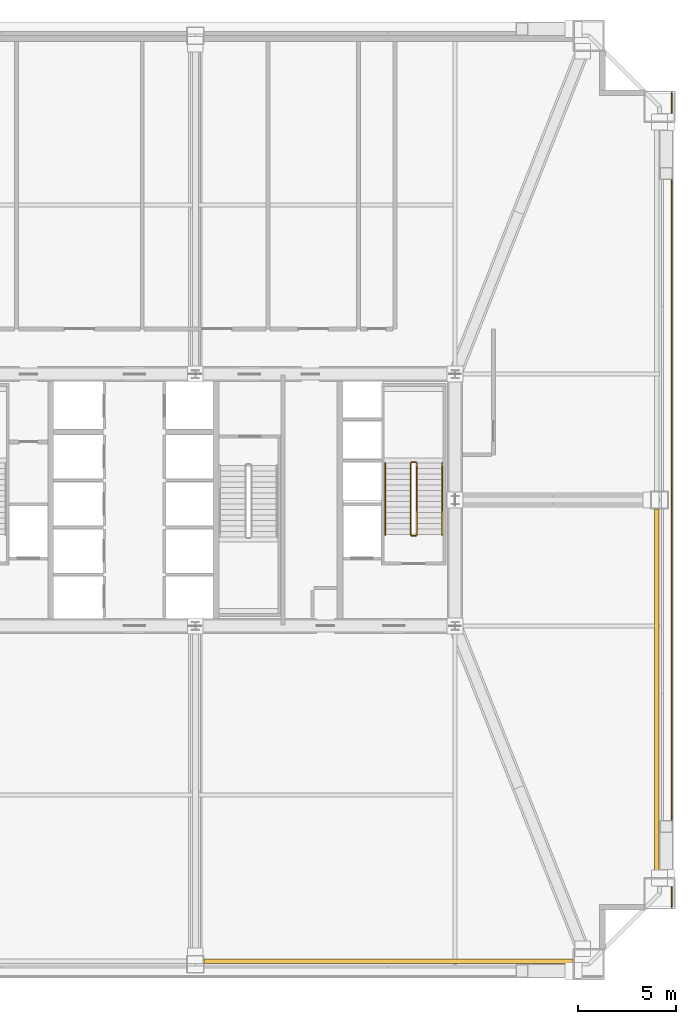
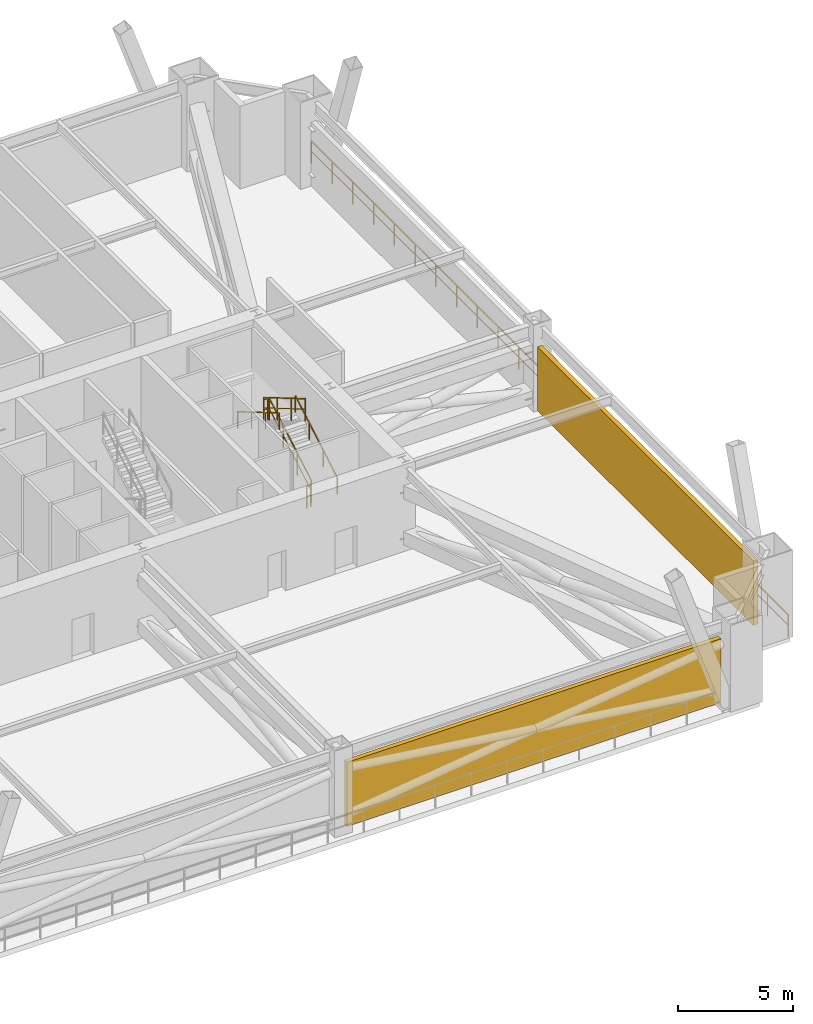
# One storey, part 9 of 10: 7 railings, 2 shading devices.
"""IFC4 building model written with IfcOpenShell, lengths in metres."""

from ifc_helpers import new_model, si_unit, direction, frame, origin, origin_2d, place, context, subcontext, project, spatial, rectangle, extrude, source, transform, mapped, material, layer, layer_set, type_object, element, save


model = new_model("IFC4")

# Units and contexts
model_context = context("Model", 3, precision=1e-05, world=origin(), true_north=direction((0.0, 1.0)))
body_context = subcontext(model_context, "Body", "Model", "MODEL_VIEW")
ifc_project = project(units=[si_unit("LENGTHUNIT", "METRE"), si_unit("AREAUNIT", "SQUARE_METRE"), si_unit("VOLUMEUNIT", "CUBIC_METRE"), si_unit("PLANEANGLEUNIT", "RADIAN"), si_unit("MASSUNIT", "GRAM", prefix="KILO"), si_unit("THERMODYNAMICTEMPERATUREUNIT", "KELVIN"), si_unit("POWERUNIT", "WATT")], contexts=[model_context])

# Site, building, storey
site_placement = place(None, origin())
site = spatial("IfcSite", under=ifc_project, at=site_placement, CompositionType="ELEMENT")
building_placement = place(site_placement, origin())
building = spatial("IfcBuilding", under=site, at=building_placement, Name="Yuzanri Waterfront Tower", CompositionType="ELEMENT")
storey_placement = place(building_placement, frame((0.0, 0.0, 129.800048828125)))
storey = spatial("IfcBuildingStorey", under=building, at=storey_placement, Name="L34", CompositionType="ELEMENT", Elevation=129.800048828125)

# Shading devices
ifc_material_1 = material(Name="Anodized Architectural Bronze", Category="metal")
ifc_layer_1 = layer(ifc_material_1, 0.219970703125)
ifc_layer_set_1 = layer_set([ifc_layer_1], Name="Anodized Architectural Bronze")
shading_device_type = type_object("IfcShadingDeviceType", Name="Anodized Bronze Refuge Wind-Diffusing Louvre Screen 220", PredefinedType="USERDEFINED", material=ifc_layer_set_1)
shared_shape_1 = source(origin(), body_context, "Body", "SweptSolid", [
    extrude(rectangle(XDim=18.75, YDim=0.219970703125, at=origin_2d()), origin(), (0.0, 0.0, 1.0), 3.39990234375),
])
shading_device_1_placement = place(storey_placement, frame((46.824951171875, 2.35009765625, 0.0), z_axis=(0.0, 0.0, 1.0), x_axis=(1.0, 0.0, 0.0)))
element("IfcShadingDevice", 1, at=shading_device_1_placement, inside=storey, type_object=shading_device_type, Name="L34 Wind-Diffusing Refuge Louvre SR", ObjectType="LOUVRE", PredefinedType="USERDEFINED", context=body_context, shape_type="MappedRepresentation", body=[
    mapped(shared_shape_1, transform((0.0, 0.0, 0.0), scale=1.0)),
])
shared_shape_2 = source(origin(), body_context, "Body", "SweptSolid", [
    extrude(rectangle(XDim=0.219970703125, YDim=18.75, at=origin_2d()), origin(), (0.0, 0.0, 1.0), 3.39990234375),
])
shading_device_2_placement = place(storey_placement, frame((60.449951171875, 15.97509765625, 0.0), z_axis=(0.0, 0.0, 1.0), x_axis=(1.0, 0.0, 0.0)))
element("IfcShadingDevice", 2, at=shading_device_2_placement, inside=storey, type_object=shading_device_type, Name="L34 Wind-Diffusing Refuge Louvre EL", ObjectType="LOUVRE", PredefinedType="USERDEFINED", context=body_context, shape_type="MappedRepresentation", body=[
    mapped(shared_shape_2, transform((0.0, 0.0, 0.0), scale=1.0)),
])

# Railings
ifc_material_2 = material(Name="Anodized Architectural Bronze", Category="metal")
ifc_layer_2 = layer(ifc_material_2, 0.080078125)
ifc_layer_set_2 = layer_set([ifc_layer_2], Name="Anodized Architectural Bronze")
railing_type_1 = type_object("IfcRailingType", Name="Laminated Glass and Bronze Balcony Guardrail 1200", PredefinedType="BALUSTRADE", material=ifc_layer_set_2)
shared_shape_3 = source(origin(), body_context, "Body", "SweptSolid", [
    extrude(rectangle(XDim=0.050048828125, YDim=0.050048828125, at=origin_2d()), frame((0.0, 0.0, 1.1748046875), z_axis=(0.0, 1.0, 0.0), x_axis=(-1.0, 0.0, 0.0)), (0.0, 0.0, 1.0), 41.39990234375),
    extrude(rectangle(XDim=0.035888671875, YDim=0.030029296875, at=origin_2d()), frame((0.0, 0.0, 0.6240234375), z_axis=(0.0, 1.0, 0.0), x_axis=(-1.0, 0.0, 0.0)), (0.0, 0.0, 1.0), 41.39990234375),
    extrude(rectangle(XDim=0.0458984375, YDim=0.0458984375, at=origin_2d()), origin(), (0.0, 0.0, 1.0), 1.14990234375),
    extrude(rectangle(XDim=0.0458984375, YDim=0.0458984375, at=origin_2d()), frame((0.0, 1.800048828125, 0.0)), (0.0, 0.0, 1.0), 1.14990234375),
    extrude(rectangle(XDim=0.0458984375, YDim=0.0458984375, at=origin_2d()), frame((0.0, 3.60009765625, 0.0)), (0.0, 0.0, 1.0), 1.14990234375),
    extrude(rectangle(XDim=0.0458984375, YDim=0.0458984375, at=origin_2d()), frame((0.0, 5.39990234375, 0.0)), (0.0, 0.0, 1.0), 1.14990234375),
    extrude(rectangle(XDim=0.0458984375, YDim=0.0458984375, at=origin_2d()), frame((0.0, 7.199951171875, 0.0)), (0.0, 0.0, 1.0), 1.14990234375),
    extrude(rectangle(XDim=0.0458984375, YDim=0.0458984375, at=origin_2d()), frame((0.0, 9.0, 0.0)), (0.0, 0.0, 1.0), 1.14990234375),
    extrude(rectangle(XDim=0.0458984375, YDim=0.0458984375, at=origin_2d()), frame((0.0, 10.800048828125, 0.0)), (0.0, 0.0, 1.0), 1.14990234375),
    extrude(rectangle(XDim=0.0458984375, YDim=0.0458984375, at=origin_2d()), frame((0.0, 12.599853515625, 0.0)), (0.0, 0.0, 1.0), 1.14990234375),
    extrude(rectangle(XDim=0.0458984375, YDim=0.0458984375, at=origin_2d()), frame((0.0, 14.39990234375, 0.0)), (0.0, 0.0, 1.0), 1.14990234375),
    extrude(rectangle(XDim=0.0458984375, YDim=0.0458984375, at=origin_2d()), frame((0.0, 16.199951171875, 0.0)), (0.0, 0.0, 1.0), 1.14990234375),
    extrude(rectangle(XDim=0.0458984375, YDim=0.0458984375, at=origin_2d()), frame((0.0, 18.0, 0.0)), (0.0, 0.0, 1.0), 1.14990234375),
    extrude(rectangle(XDim=0.0458984375, YDim=0.0458984375, at=origin_2d()), frame((0.0, 19.800048828125, 0.0)), (0.0, 0.0, 1.0), 1.14990234375),
    extrude(rectangle(XDim=0.0458984375, YDim=0.0458984375, at=origin_2d()), frame((0.0, 21.599853515625, 0.0)), (0.0, 0.0, 1.0), 1.14990234375),
    extrude(rectangle(XDim=0.0458984375, YDim=0.0458984375, at=origin_2d()), frame((0.0, 23.39990234375, 0.0)), (0.0, 0.0, 1.0), 1.14990234375),
    extrude(rectangle(XDim=0.0458984375, YDim=0.0458984375, at=origin_2d()), frame((0.0, 25.199951171875, 0.0)), (0.0, 0.0, 1.0), 1.14990234375),
    extrude(rectangle(XDim=0.0458984375, YDim=0.0458984375, at=origin_2d()), frame((0.0, 27.0, 0.0)), (0.0, 0.0, 1.0), 1.14990234375),
    extrude(rectangle(XDim=0.0458984375, YDim=0.0458984375, at=origin_2d()), frame((0.0, 28.800048828125, 0.0)), (0.0, 0.0, 1.0), 1.14990234375),
    extrude(rectangle(XDim=0.0458984375, YDim=0.0458984375, at=origin_2d()), frame((0.0, 30.599853515625, 0.0)), (0.0, 0.0, 1.0), 1.14990234375),
    extrude(rectangle(XDim=0.0458984375, YDim=0.0458984375, at=origin_2d()), frame((0.0, 32.39990234375, 0.0)), (0.0, 0.0, 1.0), 1.14990234375),
    extrude(rectangle(XDim=0.0458984375, YDim=0.0458984375, at=origin_2d()), frame((0.0, 34.199951171875, 0.0)), (0.0, 0.0, 1.0), 1.14990234375),
    extrude(rectangle(XDim=0.0458984375, YDim=0.0458984375, at=origin_2d()), frame((0.0, 36.0, 0.0)), (0.0, 0.0, 1.0), 1.14990234375),
    extrude(rectangle(XDim=0.0458984375, YDim=0.0458984375, at=origin_2d()), frame((0.0, 37.7998046875, 0.0)), (0.0, 0.0, 1.0), 1.14990234375),
    extrude(rectangle(XDim=0.0458984375, YDim=0.0458984375, at=origin_2d()), frame((0.0, 39.599853515625, 0.0)), (0.0, 0.0, 1.0), 1.14990234375),
    extrude(rectangle(XDim=0.0458984375, YDim=0.0458984375, at=origin_2d()), frame((0.0, 41.39990234375, 0.0)), (0.0, 0.0, 1.0), 1.14990234375),
])
railing_1_placement = place(storey_placement, frame((61.219970703125, 5.10009765625, 0.0)))
element("IfcRailing", 3, at=railing_1_placement, inside=storey, type_object=railing_type_1, Name="L34 East Refuge Edge Guard", PredefinedType="BALUSTRADE", context=body_context, shape_type="MappedRepresentation", body=[
    mapped(shared_shape_3, transform((0.0, 0.0, 0.0), scale=1.0)),
])
ifc_material_3 = material(Name="Painted Galvanized Fire Steel", Category="steel")
ifc_layer_3 = layer(ifc_material_3, 0.06005859375)
ifc_layer_set_3 = layer_set([ifc_layer_3], Name="Painted Galvanized Fire Steel")
railing_type_2 = type_object("IfcRailingType", Name="Painted Steel Stairwell Guardrail 1120", PredefinedType="GUARDRAIL", material=ifc_layer_set_3)
shared_shape_4 = source(origin(), body_context, "Body", "SweptSolid", [
    extrude(rectangle(XDim=0.050048828125, YDim=0.050048828125, at=origin_2d()), frame((0.0, 0.0, 1.1748046875), z_axis=(-1.0, 0.0, 0.0), x_axis=(0.0, -1.0, 0.0)), (0.0, 0.0, 1.0), 0.199951171875),
    extrude(rectangle(XDim=0.035888671875, YDim=0.030029296875, at=origin_2d()), frame((0.0, 0.0, 0.6240234375), z_axis=(-1.0, 0.0, 0.0), x_axis=(0.0, -1.0, 0.0)), (0.0, 0.0, 1.0), 0.199951171875),
    extrude(rectangle(XDim=0.0458984375, YDim=0.0458984375, at=origin_2d()), origin(), (0.0, 0.0, 1.0), 1.14990234375),
    extrude(rectangle(XDim=0.0458984375, YDim=0.0458984375, at=origin_2d()), frame((-0.199951171875, 0.0, 0.0)), (0.0, 0.0, 1.0), 1.14990234375),
])
for number, where, name in (
    (4, (48.199951171875, 27.72998046875, 2.300048828125), "L34 ST-02 stair guard 2"),
    (5, (48.199951171875, 23.989990234375, 0.0), "L34 ST-02 stair guard 4"),
):
    element("IfcRailing", number, at=place(storey_placement, frame(where)), inside=storey, type_object=railing_type_2, Name=name, PredefinedType="GUARDRAIL", context=body_context, shape_type="MappedRepresentation", body=[
        mapped(shared_shape_4, transform((0.0, 0.0, 0.0), scale=1.0)),
    ])
shared_shape_5 = source(origin(), body_context, "Body", "SweptSolid", [
    extrude(rectangle(XDim=0.050048828125, YDim=0.050048828125, at=origin_2d()), frame((0.0, 0.0, 1.1748046875), z_axis=(0.0, 0.862489892076, 0.506074289079), x_axis=(-1.0, 0.0, 0.0)), (0.0, 0.0, 1.0), 4.22021484375),
    extrude(rectangle(XDim=0.035888671875, YDim=0.030029296875, at=origin_2d()), frame((0.0, 0.0, 0.6240234375), z_axis=(0.0, 0.862489892076, 0.506074289079), x_axis=(-1.0, 0.0, 0.0)), (0.0, 0.0, 1.0), 4.22021484375),
    extrude(rectangle(XDim=0.0458984375, YDim=0.0458984375, at=origin_2d()), origin(), (0.0, 0.0, 1.0), 1.14990234375),
    extrude(rectangle(XDim=0.0458984375, YDim=0.0458984375, at=origin_2d()), frame((0.0, 1.21337890625, 0.7119140625)), (0.0, 0.0, 1.0), 1.14990234375),
    extrude(rectangle(XDim=0.0458984375, YDim=0.0458984375, at=origin_2d()), frame((0.0, 2.426513671875, 1.423828125)), (0.0, 0.0, 1.0), 1.14990234375),
    extrude(rectangle(XDim=0.0458984375, YDim=0.0458984375, at=origin_2d()), frame((0.0, 3.639892578125, 2.1357421875)), (0.0, 0.0, 1.0), 1.14990234375),
])
railing_2_placement = place(storey_placement, frame((48.25, 24.0400390625, 0.164306640625)))
element("IfcRailing", 6, at=railing_2_placement, inside=storey, type_object=railing_type_2, Name="L34 ST-02 stair guard 1", PredefinedType="GUARDRAIL", context=body_context, shape_type="MappedRepresentation", body=[
    mapped(shared_shape_5, transform((0.0, 0.0, 0.0), scale=1.0)),
])
ifc_material_4 = material(Name="Anodized Architectural Bronze", Category="metal")
ifc_layer_4 = layer(ifc_material_4, 0.050048828125)
ifc_layer_set_4 = layer_set([ifc_layer_4], Name="Anodized Architectural Bronze")
railing_type_3 = type_object("IfcRailingType", Name="Brushed Bronze Stair Pitch Handrail 920", PredefinedType="HANDRAIL", material=ifc_layer_set_4)
shared_shape_6 = source(origin(), body_context, "Body", "SweptSolid", [
    extrude(rectangle(XDim=0.050048828125, YDim=0.050048828125, at=origin_2d()), frame((0.0, 0.0, 0.875), z_axis=(0.0, 0.862489892076, 0.506074289079), x_axis=(-1.0, 0.0, 0.0)), (0.0, 0.0, 1.0), 4.22021484375),
    extrude(rectangle(XDim=0.0458984375, YDim=0.0458984375, at=origin_2d()), origin(), (0.0, 0.0, 1.0), 0.849853515625),
    extrude(rectangle(XDim=0.0458984375, YDim=0.0458984375, at=origin_2d()), frame((0.0, 1.21337890625, 0.7119140625)), (0.0, 0.0, 1.0), 0.849853515625),
    extrude(rectangle(XDim=0.0458984375, YDim=0.0458984375, at=origin_2d()), frame((0.0, 2.426513671875, 1.423828125)), (0.0, 0.0, 1.0), 0.849853515625),
    extrude(rectangle(XDim=0.0458984375, YDim=0.0458984375, at=origin_2d()), frame((0.0, 3.639892578125, 2.1357421875)), (0.0, 0.0, 1.0), 0.849853515625),
])
railing_3_placement = place(storey_placement, frame((49.550048828125, 24.0400390625, 0.164306640625)))
element("IfcRailing", 7, at=railing_3_placement, inside=storey, type_object=railing_type_3, Name="L34 ST-02 stair handrail 1", PredefinedType="HANDRAIL", context=body_context, shape_type="MappedRepresentation", body=[
    mapped(shared_shape_6, transform((0.0, 0.0, 0.0), scale=1.0)),
])
shared_shape_7 = source(origin(), body_context, "Body", "SweptSolid", [
    extrude(rectangle(XDim=0.050048828125, YDim=0.050048828125, at=origin_2d()), frame((0.0, 0.0, 1.1748046875), z_axis=(0.0, -0.862515142463, 0.50603125301), x_axis=(1.0, 0.0, 0.0)), (0.0, 0.0, 1.0), 4.219970703125),
    extrude(rectangle(XDim=0.035888671875, YDim=0.030029296875, at=origin_2d()), frame((0.0, 0.0, 0.6240234375), z_axis=(0.0, -0.862515142463, 0.50603125301), x_axis=(1.0, 0.0, 0.0)), (0.0, 0.0, 1.0), 4.219970703125),
    extrude(rectangle(XDim=0.0458984375, YDim=0.0458984375, at=origin_2d()), origin(), (0.0, 0.0, 1.0), 1.14990234375),
    extrude(rectangle(XDim=0.0458984375, YDim=0.0458984375, at=origin_2d()), frame((0.0, -1.21337890625, 0.7119140625)), (0.0, 0.0, 1.0), 1.14990234375),
    extrude(rectangle(XDim=0.0458984375, YDim=0.0458984375, at=origin_2d()), frame((0.0, -2.426513671875, 1.423583984375)), (0.0, 0.0, 1.0), 1.14990234375),
    extrude(rectangle(XDim=0.0458984375, YDim=0.0458984375, at=origin_2d()), frame((0.0, -3.639892578125, 2.135498046875)), (0.0, 0.0, 1.0), 1.14990234375),
])
railing_4_placement = place(storey_placement, frame((47.949951171875, 27.679931640625, 2.46435546875)))
element("IfcRailing", 8, at=railing_4_placement, inside=storey, type_object=railing_type_2, Name="L34 ST-02 stair guard 3", PredefinedType="GUARDRAIL", context=body_context, shape_type="MappedRepresentation", body=[
    mapped(shared_shape_7, transform((0.0, 0.0, 0.0), scale=1.0)),
])
shared_shape_8 = source(origin(), body_context, "Body", "SweptSolid", [
    extrude(rectangle(XDim=0.050048828125, YDim=0.050048828125, at=origin_2d()), frame((0.0, 0.0, 0.875), z_axis=(0.0, -0.862515142463, 0.50603125301), x_axis=(1.0, 0.0, 0.0)), (0.0, 0.0, 1.0), 4.219970703125),
    extrude(rectangle(XDim=0.0458984375, YDim=0.0458984375, at=origin_2d()), origin(), (0.0, 0.0, 1.0), 0.849853515625),
    extrude(rectangle(XDim=0.0458984375, YDim=0.0458984375, at=origin_2d()), frame((0.0, -1.21337890625, 0.7119140625)), (0.0, 0.0, 1.0), 0.849853515625),
    extrude(rectangle(XDim=0.0458984375, YDim=0.0458984375, at=origin_2d()), frame((0.0, -2.426513671875, 1.423583984375)), (0.0, 0.0, 1.0), 0.849853515625),
    extrude(rectangle(XDim=0.0458984375, YDim=0.0458984375, at=origin_2d()), frame((0.0, -3.639892578125, 2.135498046875)), (0.0, 0.0, 1.0), 0.849853515625),
])
railing_5_placement = place(storey_placement, frame((46.64990234375, 27.679931640625, 2.46435546875)))
element("IfcRailing", 9, at=railing_5_placement, inside=storey, type_object=railing_type_3, Name="L34 ST-02 stair handrail 2", PredefinedType="HANDRAIL", context=body_context, shape_type="MappedRepresentation", body=[
    mapped(shared_shape_8, transform((0.0, 0.0, 0.0), scale=1.0)),
])

save(model, "model.ifc")
